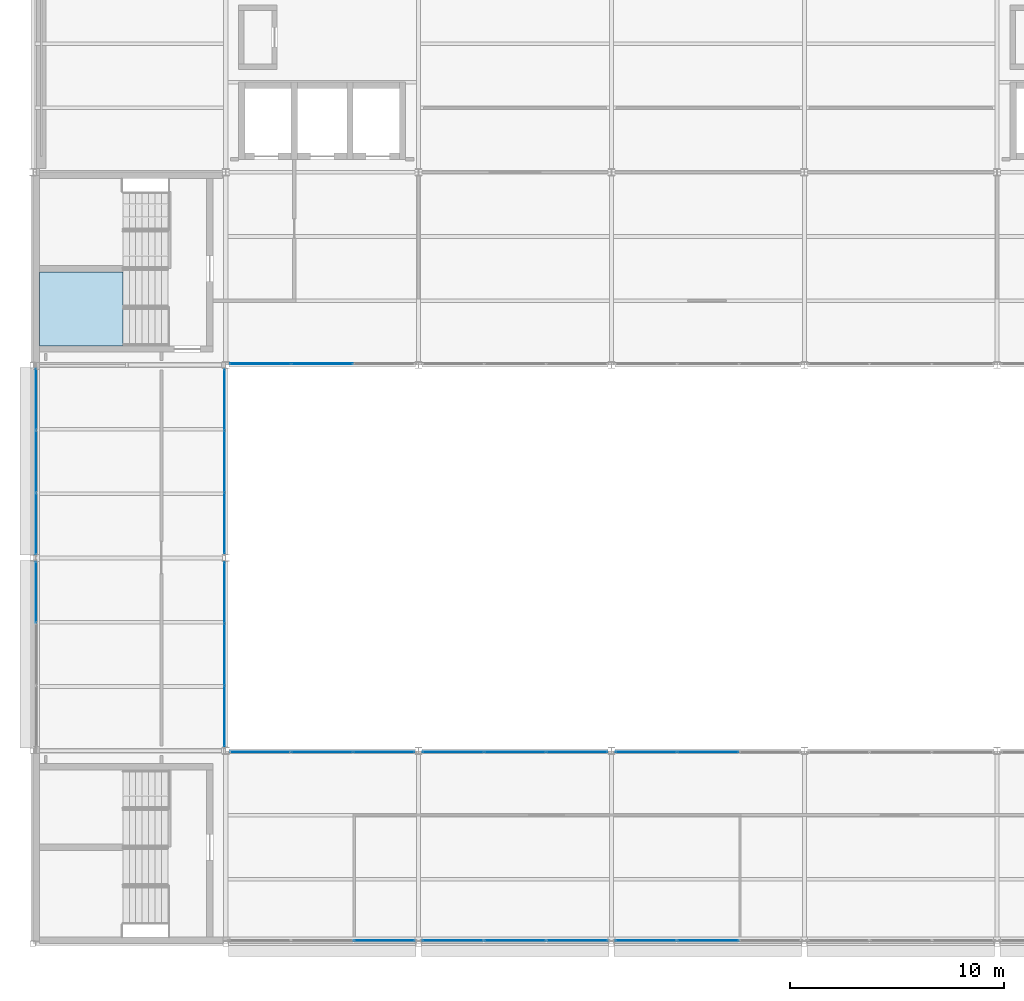
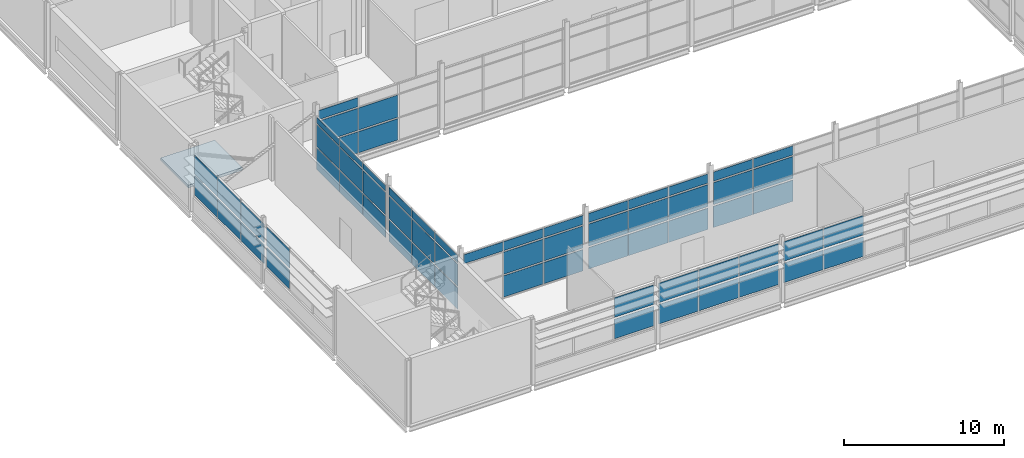
# One storey, part 45 of 61: 65 plates, 1 slab, 12 elements without a shape of their own.
"""IFC4 building model written with IfcOpenShell, lengths in metres."""

from ifc_helpers import new_model, si_unit, direction, frame, origin, origin_2d, place, context, subcontext, project, spatial, polyline, rectangle, outline, extrude, material, layer, layer_set, type_object, element, aggregate, save


model = new_model("IFC4")

# Units and contexts
model_context = context("Model", 3, precision=1e-05, world=origin(), true_north=direction((0.0, 1.0)))
body_context = subcontext(model_context, "Body", "Model", "MODEL_VIEW")
ifc_project = project(units=[si_unit("LENGTHUNIT", "METRE"), si_unit("AREAUNIT", "SQUARE_METRE"), si_unit("VOLUMEUNIT", "CUBIC_METRE"), si_unit("PLANEANGLEUNIT", "RADIAN"), si_unit("MASSUNIT", "GRAM", prefix="KILO")], contexts=[model_context])

# Site, building, storey
site_placement = place(None, origin())
site = spatial("IfcSite", under=ifc_project, at=site_placement, CompositionType="ELEMENT")
building_placement = place(site_placement, origin())
building = spatial("IfcBuilding", under=site, at=building_placement, Name="Shorebreak Coast Museum", CompositionType="ELEMENT")
storey_placement = place(building_placement, frame((0.0, 0.0, 26.0)))
storey = spatial("IfcBuildingStorey", under=building, at=storey_placement, Name="L04", CompositionType="ELEMENT", Elevation=26.0)

# Curtain wall, plates
ifc_material_1 = material(Name="Aluminium", Category="aluminium")
ifc_layer_1 = layer(ifc_material_1, 0.1201171875)
ifc_layer_set_1 = layer_set([ifc_layer_1], Name="Aluminium")
curtain_wall_type_1 = type_object("IfcCurtainWallType", Name="Atrium fire screen", PredefinedType="NOTDEFINED", material=ifc_layer_set_1)
curtain_wall_1_placement = place(storey_placement, origin())
curtain_wall_1 = element("IfcCurtainWall", 1, at=curtain_wall_1_placement, inside=storey, type_object=curtain_wall_type_1, Name="Atrium screen L04 S 49", PredefinedType="NOTDEFINED")
ifc_material_2 = material(Name="Glass", Category="glass")
ifc_layer_2 = layer(ifc_material_2, 0.034912109375)
ifc_layer_set_2 = layer_set([ifc_layer_2], Name="Glass")
plate_type_1 = type_object("IfcPlateType", Name="Fire-resisting glass panel 35", PredefinedType="CURTAIN_PANEL", material=ifc_layer_set_2)
plate_1_placement = place(storey_placement, frame((64.61474609375, 62.93994140625, 3.659912109375), z_axis=(0.0, 0.0, 1.0), x_axis=(1.0, 0.0, 0.0)))
plate_1 = element("IfcPlate", 2, at=plate_1_placement, type_object=plate_type_1, Name="CW5 panel 1.3", PredefinedType="CURTAIN_PANEL", context=body_context, shape_type="SweptSolid", body=[
    extrude(rectangle(XDim=2.82275390625, YDim=0.034912109375, at=origin_2d()), origin(), (0.0, 0.0, 1.0), 0.689453125),
])
plate_2_placement = place(storey_placement, frame((67.5, 62.93994140625, 0.119873046875), z_axis=(0.0, 0.0, 1.0), x_axis=(1.0, 0.0, 0.0)))
plate_2 = element("IfcPlate", 3, at=plate_2_placement, type_object=plate_type_1, Name="CW5 panel 2.1", PredefinedType="CURTAIN_PANEL", context=body_context, shape_type="SweptSolid", body=[
    extrude(rectangle(XDim=2.84765625, YDim=0.034912109375, at=origin_2d()), origin(), (0.0, 0.0, 1.0), 1.6201171875),
])
plate_3_placement = place(storey_placement, frame((67.5, 62.93994140625, 1.85986328125), z_axis=(0.0, 0.0, 1.0), x_axis=(1.0, 0.0, 0.0)))
plate_3 = element("IfcPlate", 4, at=plate_3_placement, type_object=plate_type_1, Name="CW5 panel 2.2", PredefinedType="CURTAIN_PANEL", context=body_context, shape_type="SweptSolid", body=[
    extrude(rectangle(XDim=2.84765625, YDim=0.034912109375, at=origin_2d()), origin(), (0.0, 0.0, 1.0), 1.679931640625),
])
plate_4_placement = place(storey_placement, frame((67.5, 62.93994140625, 3.659912109375), z_axis=(0.0, 0.0, 1.0), x_axis=(1.0, 0.0, 0.0)))
plate_4 = element("IfcPlate", 5, at=plate_4_placement, type_object=plate_type_1, Name="CW5 panel 2.3", PredefinedType="CURTAIN_PANEL", context=body_context, shape_type="SweptSolid", body=[
    extrude(rectangle(XDim=2.84765625, YDim=0.034912109375, at=origin_2d()), origin(), (0.0, 0.0, 1.0), 0.689453125),
])
plate_5_placement = place(storey_placement, frame((70.38525390625, 62.93994140625, 0.119873046875), z_axis=(0.0, 0.0, 1.0), x_axis=(1.0, 0.0, 0.0)))
plate_5 = element("IfcPlate", 6, at=plate_5_placement, type_object=plate_type_1, Name="CW5 panel 3.1", PredefinedType="CURTAIN_PANEL", context=body_context, shape_type="SweptSolid", body=[
    extrude(rectangle(XDim=2.82275390625, YDim=0.034912109375, at=origin_2d()), origin(), (0.0, 0.0, 1.0), 1.6201171875),
])
plate_6_placement = place(storey_placement, frame((70.38525390625, 62.93994140625, 1.85986328125), z_axis=(0.0, 0.0, 1.0), x_axis=(1.0, 0.0, 0.0)))
plate_6 = element("IfcPlate", 7, at=plate_6_placement, type_object=plate_type_1, Name="CW5 panel 3.2", PredefinedType="CURTAIN_PANEL", context=body_context, shape_type="SweptSolid", body=[
    extrude(rectangle(XDim=2.82275390625, YDim=0.034912109375, at=origin_2d()), origin(), (0.0, 0.0, 1.0), 1.679931640625),
])
plate_7_placement = place(storey_placement, frame((70.38525390625, 62.93994140625, 3.659912109375), z_axis=(0.0, 0.0, 1.0), x_axis=(1.0, 0.0, 0.0)))
plate_7 = element("IfcPlate", 8, at=plate_7_placement, type_object=plate_type_1, Name="CW5 panel 3.3", PredefinedType="CURTAIN_PANEL", context=body_context, shape_type="SweptSolid", body=[
    extrude(rectangle(XDim=2.82275390625, YDim=0.034912109375, at=origin_2d()), origin(), (0.0, 0.0, 1.0), 0.689453125),
])
aggregate(curtain_wall_1, [plate_1, plate_2, plate_3, plate_4, plate_5, plate_6, plate_7])

curtain_wall_2_placement = place(storey_placement, origin())
curtain_wall_2 = element("IfcCurtainWall", 9, at=curtain_wall_2_placement, inside=storey, type_object=curtain_wall_type_1, Name="Atrium screen L04 S 50", PredefinedType="NOTDEFINED")
plate_8_placement = place(storey_placement, frame((73.61474609375, 62.93994140625, 0.119873046875), z_axis=(0.0, 0.0, 1.0), x_axis=(1.0, 0.0, 0.0)))
plate_8 = element("IfcPlate", 10, at=plate_8_placement, type_object=plate_type_1, Name="CW6 panel 1.1", PredefinedType="CURTAIN_PANEL", context=body_context, shape_type="SweptSolid", body=[
    extrude(rectangle(XDim=2.82275390625, YDim=0.034912109375, at=origin_2d()), origin(), (0.0, 0.0, 1.0), 1.6201171875),
])
plate_9_placement = place(storey_placement, frame((73.61474609375, 62.93994140625, 1.85986328125), z_axis=(0.0, 0.0, 1.0), x_axis=(1.0, 0.0, 0.0)))
plate_9 = element("IfcPlate", 11, at=plate_9_placement, type_object=plate_type_1, Name="CW6 panel 1.2", PredefinedType="CURTAIN_PANEL", context=body_context, shape_type="SweptSolid", body=[
    extrude(rectangle(XDim=2.82275390625, YDim=0.034912109375, at=origin_2d()), origin(), (0.0, 0.0, 1.0), 1.679931640625),
])
plate_10_placement = place(storey_placement, frame((73.61474609375, 62.93994140625, 3.659912109375), z_axis=(0.0, 0.0, 1.0), x_axis=(1.0, 0.0, 0.0)))
plate_10 = element("IfcPlate", 12, at=plate_10_placement, type_object=plate_type_1, Name="CW6 panel 1.3", PredefinedType="CURTAIN_PANEL", context=body_context, shape_type="SweptSolid", body=[
    extrude(rectangle(XDim=2.82275390625, YDim=0.034912109375, at=origin_2d()), origin(), (0.0, 0.0, 1.0), 0.689453125),
])
plate_11_placement = place(storey_placement, frame((76.5, 62.93994140625, 0.119873046875), z_axis=(0.0, 0.0, 1.0), x_axis=(1.0, 0.0, 0.0)))
plate_11 = element("IfcPlate", 13, at=plate_11_placement, type_object=plate_type_1, Name="CW6 panel 2.1", PredefinedType="CURTAIN_PANEL", context=body_context, shape_type="SweptSolid", body=[
    extrude(rectangle(XDim=2.84765625, YDim=0.034912109375, at=origin_2d()), origin(), (0.0, 0.0, 1.0), 1.6201171875),
])
plate_12_placement = place(storey_placement, frame((76.5, 62.93994140625, 1.85986328125), z_axis=(0.0, 0.0, 1.0), x_axis=(1.0, 0.0, 0.0)))
plate_12 = element("IfcPlate", 14, at=plate_12_placement, type_object=plate_type_1, Name="CW6 panel 2.2", PredefinedType="CURTAIN_PANEL", context=body_context, shape_type="SweptSolid", body=[
    extrude(rectangle(XDim=2.84765625, YDim=0.034912109375, at=origin_2d()), origin(), (0.0, 0.0, 1.0), 1.679931640625),
])
plate_13_placement = place(storey_placement, frame((76.5, 62.93994140625, 3.659912109375), z_axis=(0.0, 0.0, 1.0), x_axis=(1.0, 0.0, 0.0)))
plate_13 = element("IfcPlate", 15, at=plate_13_placement, type_object=plate_type_1, Name="CW6 panel 2.3", PredefinedType="CURTAIN_PANEL", context=body_context, shape_type="SweptSolid", body=[
    extrude(rectangle(XDim=2.84765625, YDim=0.034912109375, at=origin_2d()), origin(), (0.0, 0.0, 1.0), 0.689453125),
])
plate_14_placement = place(storey_placement, frame((79.38525390625, 62.93994140625, 0.119873046875), z_axis=(0.0, 0.0, 1.0), x_axis=(1.0, 0.0, 0.0)))
plate_14 = element("IfcPlate", 16, at=plate_14_placement, type_object=plate_type_1, Name="CW6 panel 3.1", PredefinedType="CURTAIN_PANEL", context=body_context, shape_type="SweptSolid", body=[
    extrude(rectangle(XDim=2.82275390625, YDim=0.034912109375, at=origin_2d()), origin(), (0.0, 0.0, 1.0), 1.6201171875),
])
plate_15_placement = place(storey_placement, frame((79.38525390625, 62.93994140625, 1.85986328125), z_axis=(0.0, 0.0, 1.0), x_axis=(1.0, 0.0, 0.0)))
plate_15 = element("IfcPlate", 17, at=plate_15_placement, type_object=plate_type_1, Name="CW6 panel 3.2", PredefinedType="CURTAIN_PANEL", context=body_context, shape_type="SweptSolid", body=[
    extrude(rectangle(XDim=2.82275390625, YDim=0.034912109375, at=origin_2d()), origin(), (0.0, 0.0, 1.0), 1.679931640625),
])
plate_16_placement = place(storey_placement, frame((79.38525390625, 62.93994140625, 3.659912109375), z_axis=(0.0, 0.0, 1.0), x_axis=(1.0, 0.0, 0.0)))
plate_16 = element("IfcPlate", 18, at=plate_16_placement, type_object=plate_type_1, Name="CW6 panel 3.3", PredefinedType="CURTAIN_PANEL", context=body_context, shape_type="SweptSolid", body=[
    extrude(rectangle(XDim=2.82275390625, YDim=0.034912109375, at=origin_2d()), origin(), (0.0, 0.0, 1.0), 0.689453125),
])
aggregate(curtain_wall_2, [plate_8, plate_9, plate_10, plate_11, plate_12, plate_13, plate_14, plate_15, plate_16])

curtain_wall_3_placement = place(storey_placement, origin())
curtain_wall_3 = element("IfcCurtainWall", 19, at=curtain_wall_3_placement, inside=storey, type_object=curtain_wall_type_1, Name="Atrium screen L04 S 51", PredefinedType="NOTDEFINED")
plate_17_placement = place(storey_placement, frame((82.61474609375, 62.93994140625, 0.119873046875), z_axis=(0.0, 0.0, 1.0), x_axis=(1.0, 0.0, 0.0)))
plate_17 = element("IfcPlate", 20, at=plate_17_placement, type_object=plate_type_1, Name="CW4 panel 1.1", PredefinedType="CURTAIN_PANEL", context=body_context, shape_type="SweptSolid", body=[
    extrude(rectangle(XDim=2.82275390625, YDim=0.034912109375, at=origin_2d()), origin(), (0.0, 0.0, 1.0), 1.6201171875),
])
plate_18_placement = place(storey_placement, frame((82.61474609375, 62.93994140625, 1.85986328125), z_axis=(0.0, 0.0, 1.0), x_axis=(1.0, 0.0, 0.0)))
plate_18 = element("IfcPlate", 21, at=plate_18_placement, type_object=plate_type_1, Name="CW4 panel 1.2", PredefinedType="CURTAIN_PANEL", context=body_context, shape_type="SweptSolid", body=[
    extrude(rectangle(XDim=2.82275390625, YDim=0.034912109375, at=origin_2d()), origin(), (0.0, 0.0, 1.0), 1.679931640625),
])
plate_19_placement = place(storey_placement, frame((82.61474609375, 62.93994140625, 3.659912109375), z_axis=(0.0, 0.0, 1.0), x_axis=(1.0, 0.0, 0.0)))
plate_19 = element("IfcPlate", 22, at=plate_19_placement, type_object=plate_type_1, Name="CW4 panel 1.3", PredefinedType="CURTAIN_PANEL", context=body_context, shape_type="SweptSolid", body=[
    extrude(rectangle(XDim=2.82275390625, YDim=0.034912109375, at=origin_2d()), origin(), (0.0, 0.0, 1.0), 0.689453125),
])
plate_20_placement = place(storey_placement, frame((85.5, 62.93994140625, 0.119873046875), z_axis=(0.0, 0.0, 1.0), x_axis=(1.0, 0.0, 0.0)))
plate_20 = element("IfcPlate", 23, at=plate_20_placement, type_object=plate_type_1, Name="CW4 panel 2.1", PredefinedType="CURTAIN_PANEL", context=body_context, shape_type="SweptSolid", body=[
    extrude(rectangle(XDim=2.84765625, YDim=0.034912109375, at=origin_2d()), origin(), (0.0, 0.0, 1.0), 1.6201171875),
])
plate_21_placement = place(storey_placement, frame((85.5, 62.93994140625, 1.85986328125), z_axis=(0.0, 0.0, 1.0), x_axis=(1.0, 0.0, 0.0)))
plate_21 = element("IfcPlate", 24, at=plate_21_placement, type_object=plate_type_1, Name="CW4 panel 2.2", PredefinedType="CURTAIN_PANEL", context=body_context, shape_type="SweptSolid", body=[
    extrude(rectangle(XDim=2.84765625, YDim=0.034912109375, at=origin_2d()), origin(), (0.0, 0.0, 1.0), 1.679931640625),
])
plate_22_placement = place(storey_placement, frame((85.5, 62.93994140625, 3.659912109375), z_axis=(0.0, 0.0, 1.0), x_axis=(1.0, 0.0, 0.0)))
plate_22 = element("IfcPlate", 25, at=plate_22_placement, type_object=plate_type_1, Name="CW4 panel 2.3", PredefinedType="CURTAIN_PANEL", context=body_context, shape_type="SweptSolid", body=[
    extrude(rectangle(XDim=2.84765625, YDim=0.034912109375, at=origin_2d()), origin(), (0.0, 0.0, 1.0), 0.689453125),
])
aggregate(curtain_wall_3, [plate_17, plate_18, plate_19, plate_20, plate_21, plate_22])

curtain_wall_4_placement = place(storey_placement, origin())
curtain_wall_4 = element("IfcCurtainWall", 26, at=curtain_wall_4_placement, inside=storey, type_object=curtain_wall_type_1, Name="Atrium screen L04 N 54", PredefinedType="NOTDEFINED")
plate_23_placement = place(storey_placement, frame((64.61474609375, 81.06005859375, 0.119873046875), z_axis=(0.0, 0.0, 1.0), x_axis=(1.0, 0.0, 0.0)))
plate_23 = element("IfcPlate", 27, at=plate_23_placement, type_object=plate_type_1, Name="CW4 panel 1.1", PredefinedType="CURTAIN_PANEL", context=body_context, shape_type="SweptSolid", body=[
    extrude(rectangle(XDim=2.82275390625, YDim=0.034912109375, at=origin_2d()), origin(), (0.0, 0.0, 1.0), 1.6201171875),
])
plate_24_placement = place(storey_placement, frame((64.61474609375, 81.06005859375, 1.85986328125), z_axis=(0.0, 0.0, 1.0), x_axis=(1.0, 0.0, 0.0)))
plate_24 = element("IfcPlate", 28, at=plate_24_placement, type_object=plate_type_1, Name="CW4 panel 1.2", PredefinedType="CURTAIN_PANEL", context=body_context, shape_type="SweptSolid", body=[
    extrude(rectangle(XDim=2.82275390625, YDim=0.034912109375, at=origin_2d()), origin(), (0.0, 0.0, 1.0), 1.679931640625),
])
plate_25_placement = place(storey_placement, frame((64.61474609375, 81.06005859375, 3.659912109375), z_axis=(0.0, 0.0, 1.0), x_axis=(1.0, 0.0, 0.0)))
plate_25 = element("IfcPlate", 29, at=plate_25_placement, type_object=plate_type_1, Name="CW4 panel 1.3", PredefinedType="CURTAIN_PANEL", context=body_context, shape_type="SweptSolid", body=[
    extrude(rectangle(XDim=2.82275390625, YDim=0.034912109375, at=origin_2d()), origin(), (0.0, 0.0, 1.0), 0.689453125),
])
plate_26_placement = place(storey_placement, frame((67.5, 81.06005859375, 0.119873046875), z_axis=(0.0, 0.0, 1.0), x_axis=(1.0, 0.0, 0.0)))
plate_26 = element("IfcPlate", 30, at=plate_26_placement, type_object=plate_type_1, Name="CW4 panel 2.1", PredefinedType="CURTAIN_PANEL", context=body_context, shape_type="SweptSolid", body=[
    extrude(rectangle(XDim=2.84765625, YDim=0.034912109375, at=origin_2d()), origin(), (0.0, 0.0, 1.0), 1.6201171875),
])
plate_27_placement = place(storey_placement, frame((67.5, 81.06005859375, 1.85986328125), z_axis=(0.0, 0.0, 1.0), x_axis=(1.0, 0.0, 0.0)))
plate_27 = element("IfcPlate", 31, at=plate_27_placement, type_object=plate_type_1, Name="CW4 panel 2.2", PredefinedType="CURTAIN_PANEL", context=body_context, shape_type="SweptSolid", body=[
    extrude(rectangle(XDim=2.84765625, YDim=0.034912109375, at=origin_2d()), origin(), (0.0, 0.0, 1.0), 1.679931640625),
])
aggregate(curtain_wall_4, [plate_23, plate_24, plate_25, plate_26, plate_27])

curtain_wall_5_placement = place(storey_placement, origin())
curtain_wall_5 = element("IfcCurtainWall", 32, at=curtain_wall_5_placement, inside=storey, type_object=curtain_wall_type_1, Name="Atrium screen L04 W 59", PredefinedType="NOTDEFINED")
plate_28_placement = place(storey_placement, frame((62.93994140625, 64.617431640625, 0.119873046875), z_axis=(0.0, 0.0, 1.0), x_axis=(0.0, 1.0, 0.0)))
plate_28 = element("IfcPlate", 33, at=plate_28_placement, type_object=plate_type_1, Name="CW6 panel 1.1", PredefinedType="CURTAIN_PANEL", context=body_context, shape_type="SweptSolid", body=[
    extrude(rectangle(XDim=2.820068359375, YDim=0.034912109375, at=origin_2d()), origin(), (0.0, 0.0, 1.0), 1.6201171875),
])
plate_29_placement = place(storey_placement, frame((62.93994140625, 64.617431640625, 1.85986328125), z_axis=(0.0, 0.0, 1.0), x_axis=(0.0, 1.0, 0.0)))
plate_29 = element("IfcPlate", 34, at=plate_29_placement, type_object=plate_type_1, Name="CW6 panel 1.2", PredefinedType="CURTAIN_PANEL", context=body_context, shape_type="SweptSolid", body=[
    extrude(rectangle(XDim=2.820068359375, YDim=0.034912109375, at=origin_2d()), origin(), (0.0, 0.0, 1.0), 1.679931640625),
])
plate_30_placement = place(storey_placement, frame((62.93994140625, 64.617431640625, 3.66015625), z_axis=(0.0, 0.0, 1.0), x_axis=(0.0, 1.0, 0.0)))
plate_30 = element("IfcPlate", 35, at=plate_30_placement, type_object=plate_type_1, Name="CW6 panel 1.3", PredefinedType="CURTAIN_PANEL", context=body_context, shape_type="SweptSolid", body=[
    extrude(rectangle(XDim=2.820068359375, YDim=0.034912109375, at=origin_2d()), origin(), (0.0, 0.0, 1.0), 0.584716796875),
])
plate_31_placement = place(storey_placement, frame((62.93994140625, 67.5, 0.119873046875), z_axis=(0.0, 0.0, 1.0), x_axis=(0.0, 1.0, 0.0)))
plate_31 = element("IfcPlate", 36, at=plate_31_placement, type_object=plate_type_1, Name="CW6 panel 2.1", PredefinedType="CURTAIN_PANEL", context=body_context, shape_type="SweptSolid", body=[
    extrude(rectangle(XDim=2.84521484375, YDim=0.034912109375, at=origin_2d()), origin(), (0.0, 0.0, 1.0), 1.6201171875),
])
plate_32_placement = place(storey_placement, frame((62.93994140625, 67.5, 1.85986328125), z_axis=(0.0, 0.0, 1.0), x_axis=(0.0, 1.0, 0.0)))
plate_32 = element("IfcPlate", 37, at=plate_32_placement, type_object=plate_type_1, Name="CW6 panel 2.2", PredefinedType="CURTAIN_PANEL", context=body_context, shape_type="SweptSolid", body=[
    extrude(rectangle(XDim=2.84521484375, YDim=0.034912109375, at=origin_2d()), origin(), (0.0, 0.0, 1.0), 1.679931640625),
])
plate_33_placement = place(storey_placement, frame((62.93994140625, 67.5, 3.66015625), z_axis=(0.0, 0.0, 1.0), x_axis=(0.0, 1.0, 0.0)))
plate_33 = element("IfcPlate", 38, at=plate_33_placement, type_object=plate_type_1, Name="CW6 panel 2.3", PredefinedType="CURTAIN_PANEL", context=body_context, shape_type="SweptSolid", body=[
    extrude(rectangle(XDim=2.84521484375, YDim=0.034912109375, at=origin_2d()), origin(), (0.0, 0.0, 1.0), 0.584716796875),
])
plate_34_placement = place(storey_placement, frame((62.93994140625, 70.382568359375, 0.119873046875), z_axis=(0.0, 0.0, 1.0), x_axis=(0.0, 1.0, 0.0)))
plate_34 = element("IfcPlate", 39, at=plate_34_placement, type_object=plate_type_1, Name="CW6 panel 3.1", PredefinedType="CURTAIN_PANEL", context=body_context, shape_type="SweptSolid", body=[
    extrude(rectangle(XDim=2.820068359375, YDim=0.034912109375, at=origin_2d()), origin(), (0.0, 0.0, 1.0), 1.6201171875),
])
plate_35_placement = place(storey_placement, frame((62.93994140625, 70.382568359375, 1.85986328125), z_axis=(0.0, 0.0, 1.0), x_axis=(0.0, 1.0, 0.0)))
plate_35 = element("IfcPlate", 40, at=plate_35_placement, type_object=plate_type_1, Name="CW6 panel 3.2", PredefinedType="CURTAIN_PANEL", context=body_context, shape_type="SweptSolid", body=[
    extrude(rectangle(XDim=2.820068359375, YDim=0.034912109375, at=origin_2d()), origin(), (0.0, 0.0, 1.0), 1.679931640625),
])
plate_36_placement = place(storey_placement, frame((62.93994140625, 70.382568359375, 3.66015625), z_axis=(0.0, 0.0, 1.0), x_axis=(0.0, 1.0, 0.0)))
plate_36 = element("IfcPlate", 41, at=plate_36_placement, type_object=plate_type_1, Name="CW6 panel 3.3", PredefinedType="CURTAIN_PANEL", context=body_context, shape_type="SweptSolid", body=[
    extrude(rectangle(XDim=2.820068359375, YDim=0.034912109375, at=origin_2d()), origin(), (0.0, 0.0, 1.0), 0.584716796875),
])
aggregate(curtain_wall_5, [plate_28, plate_29, plate_30, plate_31, plate_32, plate_33, plate_34, plate_35, plate_36])

curtain_wall_6_placement = place(storey_placement, origin())
curtain_wall_6 = element("IfcCurtainWall", 42, at=curtain_wall_6_placement, inside=storey, type_object=curtain_wall_type_1, Name="Atrium screen L04 W 60", PredefinedType="NOTDEFINED")
plate_37_placement = place(storey_placement, frame((62.93994140625, 73.617431640625, 0.119873046875), z_axis=(0.0, 0.0, 1.0), x_axis=(0.0, 1.0, 0.0)))
plate_37 = element("IfcPlate", 43, at=plate_37_placement, type_object=plate_type_1, Name="CW4 panel 1.1", PredefinedType="CURTAIN_PANEL", context=body_context, shape_type="SweptSolid", body=[
    extrude(rectangle(XDim=2.820068359375, YDim=0.034912109375, at=origin_2d()), origin(), (0.0, 0.0, 1.0), 1.6201171875),
])
plate_38_placement = place(storey_placement, frame((62.93994140625, 73.617431640625, 1.85986328125), z_axis=(0.0, 0.0, 1.0), x_axis=(0.0, 1.0, 0.0)))
plate_38 = element("IfcPlate", 44, at=plate_38_placement, type_object=plate_type_1, Name="CW4 panel 1.2", PredefinedType="CURTAIN_PANEL", context=body_context, shape_type="SweptSolid", body=[
    extrude(rectangle(XDim=2.820068359375, YDim=0.034912109375, at=origin_2d()), origin(), (0.0, 0.0, 1.0), 1.679931640625),
])
plate_39_placement = place(storey_placement, frame((62.93994140625, 73.617431640625, 3.659912109375), z_axis=(0.0, 0.0, 1.0), x_axis=(0.0, 1.0, 0.0)))
plate_39 = element("IfcPlate", 45, at=plate_39_placement, type_object=plate_type_1, Name="CW4 panel 1.3", PredefinedType="CURTAIN_PANEL", context=body_context, shape_type="SweptSolid", body=[
    extrude(rectangle(XDim=2.820068359375, YDim=0.034912109375, at=origin_2d()), origin(), (0.0, 0.0, 1.0), 0.43310546875),
])
plate_40_placement = place(storey_placement, frame((62.93994140625, 76.5, 0.119873046875), z_axis=(0.0, 0.0, 1.0), x_axis=(0.0, 1.0, 0.0)))
plate_40 = element("IfcPlate", 46, at=plate_40_placement, type_object=plate_type_1, Name="CW4 panel 2.1", PredefinedType="CURTAIN_PANEL", context=body_context, shape_type="SweptSolid", body=[
    extrude(rectangle(XDim=2.84521484375, YDim=0.034912109375, at=origin_2d()), origin(), (0.0, 0.0, 1.0), 1.6201171875),
])
plate_41_placement = place(storey_placement, frame((62.93994140625, 76.5, 1.85986328125), z_axis=(0.0, 0.0, 1.0), x_axis=(0.0, 1.0, 0.0)))
plate_41 = element("IfcPlate", 47, at=plate_41_placement, type_object=plate_type_1, Name="CW4 panel 2.2", PredefinedType="CURTAIN_PANEL", context=body_context, shape_type="SweptSolid", body=[
    extrude(rectangle(XDim=2.84521484375, YDim=0.034912109375, at=origin_2d()), origin(), (0.0, 0.0, 1.0), 1.679931640625),
])
plate_42_placement = place(storey_placement, frame((62.93994140625, 76.5, 3.659912109375), z_axis=(0.0, 0.0, 1.0), x_axis=(0.0, 1.0, 0.0)))
plate_42 = element("IfcPlate", 48, at=plate_42_placement, type_object=plate_type_1, Name="CW4 panel 2.3", PredefinedType="CURTAIN_PANEL", context=body_context, shape_type="SweptSolid", body=[
    extrude(rectangle(XDim=2.84521484375, YDim=0.034912109375, at=origin_2d()), origin(), (0.0, 0.0, 1.0), 0.43310546875),
])
plate_43_placement = place(storey_placement, frame((62.93994140625, 79.382568359375, 0.119873046875), z_axis=(0.0, 0.0, 1.0), x_axis=(0.0, 1.0, 0.0)))
plate_43 = element("IfcPlate", 49, at=plate_43_placement, type_object=plate_type_1, Name="CW4 panel 3.1", PredefinedType="CURTAIN_PANEL", context=body_context, shape_type="SweptSolid", body=[
    extrude(rectangle(XDim=2.820068359375, YDim=0.034912109375, at=origin_2d()), origin(), (0.0, 0.0, 1.0), 1.6201171875),
])
plate_44_placement = place(storey_placement, frame((62.93994140625, 79.382568359375, 1.85986328125), z_axis=(0.0, 0.0, 1.0), x_axis=(0.0, 1.0, 0.0)))
plate_44 = element("IfcPlate", 50, at=plate_44_placement, type_object=plate_type_1, Name="CW4 panel 3.2", PredefinedType="CURTAIN_PANEL", context=body_context, shape_type="SweptSolid", body=[
    extrude(rectangle(XDim=2.820068359375, YDim=0.034912109375, at=origin_2d()), origin(), (0.0, 0.0, 1.0), 1.679931640625),
])
plate_45_placement = place(storey_placement, frame((62.93994140625, 79.382568359375, 3.659912109375), z_axis=(0.0, 0.0, 1.0), x_axis=(0.0, 1.0, 0.0)))
plate_45 = element("IfcPlate", 51, at=plate_45_placement, type_object=plate_type_1, Name="CW4 panel 3.3", PredefinedType="CURTAIN_PANEL", context=body_context, shape_type="SweptSolid", body=[
    extrude(rectangle(XDim=2.820068359375, YDim=0.034912109375, at=origin_2d()), origin(), (0.0, 0.0, 1.0), 0.43310546875),
])
aggregate(curtain_wall_6, [plate_37, plate_38, plate_39, plate_40, plate_41, plate_42, plate_43, plate_44, plate_45])

# Stair, slab
ifc_material_3 = material(Name="Concrete N40 (40 MPa)", Category="concrete")
stair_type = type_object("IfcStairType", Name="Stair run 5 m", PredefinedType="DOUBLE_RETURN_STAIR", material=ifc_material_3)
stair_placement = place(storey_placement, origin())
stair = element("IfcStair", 52, at=stair_placement, inside=storey, type_object=stair_type, Name="Exit stair ST03-L04", PredefinedType="DOUBLE_RETURN_STAIR")
ifc_material_4 = material(Name="Concrete N40 (40 MPa)", Category="concrete")
ifc_layer_3 = layer(ifc_material_4, 0.199951171875)
ifc_layer_set_3 = layer_set([ifc_layer_3], Name="Concrete N40 (40 MPa)")
slab_type = type_object("IfcSlabType", Name="Stair landing 200", PredefinedType="LANDING", material=ifc_layer_set_3)
slab_placement = place(storey_placement, frame((0.0, 0.0, 1.050048828125)))
slab = element("IfcSlab", 53, at=slab_placement, type_object=slab_type, Name="ST03-L04 landing 3", PredefinedType="LANDING", context=body_context, shape_type="SweptSolid", body=[
    extrude(outline(polyline([(54.300048828125, 81.89990234375), (58.199951171875, 81.89990234375), (58.199951171875, 85.35009765625), (54.300048828125, 85.35009765625), (54.300048828125, 81.89990234375)])), origin(), (0.0, 0.0, 1.0), 0.199951171875),
])
aggregate(stair, [slab])

# Curtain wall, plates
ifc_material_5 = material(Name="Aluminium", Category="aluminium")
ifc_layer_4 = layer(ifc_material_5, 0.14990234375)
ifc_layer_set_4 = layer_set([ifc_layer_4], Name="Aluminium")
curtain_wall_type_2 = type_object("IfcCurtainWallType", Name="Storefront curtain wall", PredefinedType="NOTDEFINED", material=ifc_layer_set_4)
curtain_wall_7_placement = place(storey_placement, origin())
curtain_wall_7 = element("IfcCurtainWall", 54, at=curtain_wall_7_placement, inside=storey, type_object=curtain_wall_type_2, Name="Atrium Hall glazing L04 S 4", PredefinedType="NOTDEFINED")
ifc_material_6 = material(Name="Glass", Category="glass")
ifc_layer_5 = layer(ifc_material_6, 0.031982421875)
ifc_layer_set_5 = layer_set([ifc_layer_5], Name="Glass")
plate_type_2 = type_object("IfcPlateType", Name="Storefront glass panel 32", PredefinedType="CURTAIN_PANEL", material=ifc_layer_set_5)
plate_46_placement = place(storey_placement, frame((70.404052734375, 54.14990234375, 1.25), z_axis=(0.0, 0.0, 1.0), x_axis=(1.0, 0.0, 0.0)))
plate_46 = element("IfcPlate", 55, at=plate_46_placement, type_object=plate_type_2, Name="CW5 panel 3.1", PredefinedType="CURTAIN_PANEL", context=body_context, shape_type="SweptSolid", body=[
    extrude(rectangle(XDim=2.841552734375, YDim=0.031982421875, at=origin_2d()), origin(), (0.0, 0.0, 1.0), 1.48388671875),
])
plate_47_placement = place(storey_placement, frame((70.404052734375, 54.14990234375, 2.8837890625), z_axis=(0.0, 0.0, 1.0), x_axis=(1.0, 0.0, 0.0)))
plate_47 = element("IfcPlate", 56, at=plate_47_placement, type_object=plate_type_2, Name="CW5 panel 3.2", PredefinedType="CURTAIN_PANEL", context=body_context, shape_type="SweptSolid", body=[
    extrude(rectangle(XDim=2.841552734375, YDim=0.031982421875, at=origin_2d()), origin(), (0.0, 0.0, 1.0), 1.48388671875),
])
aggregate(curtain_wall_7, [plate_46, plate_47])

curtain_wall_8_placement = place(storey_placement, origin())
curtain_wall_8 = element("IfcCurtainWall", 57, at=curtain_wall_8_placement, inside=storey, type_object=curtain_wall_type_2, Name="Atrium Hall glazing L04 S 5", PredefinedType="NOTDEFINED")
plate_48_placement = place(storey_placement, frame((73.595947265625, 54.14990234375, 1.25), z_axis=(0.0, 0.0, 1.0), x_axis=(1.0, 0.0, 0.0)))
plate_48 = element("IfcPlate", 58, at=plate_48_placement, type_object=plate_type_2, Name="CW5 panel 1.1", PredefinedType="CURTAIN_PANEL", context=body_context, shape_type="SweptSolid", body=[
    extrude(rectangle(XDim=2.841552734375, YDim=0.031982421875, at=origin_2d()), origin(), (0.0, 0.0, 1.0), 1.48388671875),
])
plate_49_placement = place(storey_placement, frame((73.595947265625, 54.14990234375, 2.8837890625), z_axis=(0.0, 0.0, 1.0), x_axis=(1.0, 0.0, 0.0)))
plate_49 = element("IfcPlate", 59, at=plate_49_placement, type_object=plate_type_2, Name="CW5 panel 1.2", PredefinedType="CURTAIN_PANEL", context=body_context, shape_type="SweptSolid", body=[
    extrude(rectangle(XDim=2.841552734375, YDim=0.031982421875, at=origin_2d()), origin(), (0.0, 0.0, 1.0), 1.48388671875),
])
plate_50_placement = place(storey_placement, frame((76.5, 54.14990234375, 1.25), z_axis=(0.0, 0.0, 1.0), x_axis=(1.0, 0.0, 0.0)))
plate_50 = element("IfcPlate", 60, at=plate_50_placement, type_object=plate_type_2, Name="CW5 panel 2.1", PredefinedType="CURTAIN_PANEL", context=body_context, shape_type="SweptSolid", body=[
    extrude(rectangle(XDim=2.86669921875, YDim=0.031982421875, at=origin_2d()), origin(), (0.0, 0.0, 1.0), 1.48388671875),
])
plate_51_placement = place(storey_placement, frame((76.5, 54.14990234375, 2.8837890625), z_axis=(0.0, 0.0, 1.0), x_axis=(1.0, 0.0, 0.0)))
plate_51 = element("IfcPlate", 61, at=plate_51_placement, type_object=plate_type_2, Name="CW5 panel 2.2", PredefinedType="CURTAIN_PANEL", context=body_context, shape_type="SweptSolid", body=[
    extrude(rectangle(XDim=2.86669921875, YDim=0.031982421875, at=origin_2d()), origin(), (0.0, 0.0, 1.0), 1.48388671875),
])
plate_52_placement = place(storey_placement, frame((79.404052734375, 54.14990234375, 1.25), z_axis=(0.0, 0.0, 1.0), x_axis=(1.0, 0.0, 0.0)))
plate_52 = element("IfcPlate", 62, at=plate_52_placement, type_object=plate_type_2, Name="CW5 panel 3.1", PredefinedType="CURTAIN_PANEL", context=body_context, shape_type="SweptSolid", body=[
    extrude(rectangle(XDim=2.841552734375, YDim=0.031982421875, at=origin_2d()), origin(), (0.0, 0.0, 1.0), 1.48388671875),
])
plate_53_placement = place(storey_placement, frame((79.404052734375, 54.14990234375, 2.8837890625), z_axis=(0.0, 0.0, 1.0), x_axis=(1.0, 0.0, 0.0)))
plate_53 = element("IfcPlate", 63, at=plate_53_placement, type_object=plate_type_2, Name="CW5 panel 3.2", PredefinedType="CURTAIN_PANEL", context=body_context, shape_type="SweptSolid", body=[
    extrude(rectangle(XDim=2.841552734375, YDim=0.031982421875, at=origin_2d()), origin(), (0.0, 0.0, 1.0), 1.48388671875),
])
aggregate(curtain_wall_8, [plate_48, plate_49, plate_50, plate_51, plate_52, plate_53])

curtain_wall_9_placement = place(storey_placement, origin())
curtain_wall_9 = element("IfcCurtainWall", 64, at=curtain_wall_9_placement, inside=storey, type_object=curtain_wall_type_2, Name="Atrium Hall glazing L04 S 6", PredefinedType="NOTDEFINED")
plate_54_placement = place(storey_placement, frame((82.595947265625, 54.14990234375, 1.25), z_axis=(0.0, 0.0, 1.0), x_axis=(1.0, 0.0, 0.0)))
plate_54 = element("IfcPlate", 65, at=plate_54_placement, type_object=plate_type_2, Name="CW5 panel 1.1", PredefinedType="CURTAIN_PANEL", context=body_context, shape_type="SweptSolid", body=[
    extrude(rectangle(XDim=2.841552734375, YDim=0.031982421875, at=origin_2d()), origin(), (0.0, 0.0, 1.0), 1.48388671875),
])
plate_55_placement = place(storey_placement, frame((82.595947265625, 54.14990234375, 2.8837890625), z_axis=(0.0, 0.0, 1.0), x_axis=(1.0, 0.0, 0.0)))
plate_55 = element("IfcPlate", 66, at=plate_55_placement, type_object=plate_type_2, Name="CW5 panel 1.2", PredefinedType="CURTAIN_PANEL", context=body_context, shape_type="SweptSolid", body=[
    extrude(rectangle(XDim=2.841552734375, YDim=0.031982421875, at=origin_2d()), origin(), (0.0, 0.0, 1.0), 1.48388671875),
])
plate_56_placement = place(storey_placement, frame((85.5, 54.14990234375, 1.25), z_axis=(0.0, 0.0, 1.0), x_axis=(1.0, 0.0, 0.0)))
plate_56 = element("IfcPlate", 67, at=plate_56_placement, type_object=plate_type_2, Name="CW5 panel 2.1", PredefinedType="CURTAIN_PANEL", context=body_context, shape_type="SweptSolid", body=[
    extrude(rectangle(XDim=2.86669921875, YDim=0.031982421875, at=origin_2d()), origin(), (0.0, 0.0, 1.0), 1.48388671875),
])
plate_57_placement = place(storey_placement, frame((85.5, 54.14990234375, 2.8837890625), z_axis=(0.0, 0.0, 1.0), x_axis=(1.0, 0.0, 0.0)))
plate_57 = element("IfcPlate", 68, at=plate_57_placement, type_object=plate_type_2, Name="CW5 panel 2.2", PredefinedType="CURTAIN_PANEL", context=body_context, shape_type="SweptSolid", body=[
    extrude(rectangle(XDim=2.86669921875, YDim=0.031982421875, at=origin_2d()), origin(), (0.0, 0.0, 1.0), 1.48388671875),
])
aggregate(curtain_wall_9, [plate_54, plate_55, plate_56, plate_57])

curtain_wall_10_placement = place(storey_placement, origin())
curtain_wall_10 = element("IfcCurtainWall", 69, at=curtain_wall_10_placement, inside=storey, type_object=curtain_wall_type_2, Name="Atrium Hall glazing L04 W 9", PredefinedType="NOTDEFINED")
plate_58_placement = place(storey_placement, frame((54.14990234375, 70.404052734375, 1.25), z_axis=(0.0, 0.0, 1.0), x_axis=(0.0, 1.0, 0.0)))
plate_58 = element("IfcPlate", 70, at=plate_58_placement, type_object=plate_type_2, Name="CW5 panel 3.1", PredefinedType="CURTAIN_PANEL", context=body_context, shape_type="SweptSolid", body=[
    extrude(rectangle(XDim=2.841552734375, YDim=0.031982421875, at=origin_2d()), origin(), (0.0, 0.0, 1.0), 1.434326171875),
])
plate_59_placement = place(storey_placement, frame((54.14990234375, 70.404052734375, 2.83447265625), z_axis=(0.0, 0.0, 1.0), x_axis=(0.0, 1.0, 0.0)))
plate_59 = element("IfcPlate", 71, at=plate_59_placement, type_object=plate_type_2, Name="CW5 panel 3.2", PredefinedType="CURTAIN_PANEL", context=body_context, shape_type="SweptSolid", body=[
    extrude(rectangle(XDim=2.841552734375, YDim=0.031982421875, at=origin_2d()), origin(), (0.0, 0.0, 1.0), 1.434326171875),
])
aggregate(curtain_wall_10, [plate_58, plate_59])

curtain_wall_11_placement = place(storey_placement, origin())
curtain_wall_11 = element("IfcCurtainWall", 72, at=curtain_wall_11_placement, inside=storey, type_object=curtain_wall_type_2, Name="Atrium Hall glazing L04 W 10", PredefinedType="NOTDEFINED")
plate_60_placement = place(storey_placement, frame((54.14990234375, 73.595947265625, 1.25), z_axis=(0.0, 0.0, 1.0), x_axis=(0.0, 1.0, 0.0)))
plate_60 = element("IfcPlate", 73, at=plate_60_placement, type_object=plate_type_2, Name="CW5 panel 1.1", PredefinedType="CURTAIN_PANEL", context=body_context, shape_type="SweptSolid", body=[
    extrude(rectangle(XDim=2.841552734375, YDim=0.031982421875, at=origin_2d()), origin(), (0.0, 0.0, 1.0), 1.434326171875),
])
plate_61_placement = place(storey_placement, frame((54.14990234375, 73.595947265625, 2.83447265625), z_axis=(0.0, 0.0, 1.0), x_axis=(0.0, 1.0, 0.0)))
plate_61 = element("IfcPlate", 74, at=plate_61_placement, type_object=plate_type_2, Name="CW5 panel 1.2", PredefinedType="CURTAIN_PANEL", context=body_context, shape_type="SweptSolid", body=[
    extrude(rectangle(XDim=2.841552734375, YDim=0.031982421875, at=origin_2d()), origin(), (0.0, 0.0, 1.0), 1.434326171875),
])
plate_62_placement = place(storey_placement, frame((54.14990234375, 76.5, 1.25), z_axis=(0.0, 0.0, 1.0), x_axis=(0.0, 1.0, 0.0)))
plate_62 = element("IfcPlate", 75, at=plate_62_placement, type_object=plate_type_2, Name="CW5 panel 2.1", PredefinedType="CURTAIN_PANEL", context=body_context, shape_type="SweptSolid", body=[
    extrude(rectangle(XDim=2.86669921875, YDim=0.031982421875, at=origin_2d()), origin(), (0.0, 0.0, 1.0), 1.434326171875),
])
plate_63_placement = place(storey_placement, frame((54.14990234375, 76.5, 2.83447265625), z_axis=(0.0, 0.0, 1.0), x_axis=(0.0, 1.0, 0.0)))
plate_63 = element("IfcPlate", 76, at=plate_63_placement, type_object=plate_type_2, Name="CW5 panel 2.2", PredefinedType="CURTAIN_PANEL", context=body_context, shape_type="SweptSolid", body=[
    extrude(rectangle(XDim=2.86669921875, YDim=0.031982421875, at=origin_2d()), origin(), (0.0, 0.0, 1.0), 1.434326171875),
])
plate_64_placement = place(storey_placement, frame((54.14990234375, 79.404052734375, 1.25), z_axis=(0.0, 0.0, 1.0), x_axis=(0.0, 1.0, 0.0)))
plate_64 = element("IfcPlate", 77, at=plate_64_placement, type_object=plate_type_2, Name="CW5 panel 3.1", PredefinedType="CURTAIN_PANEL", context=body_context, shape_type="SweptSolid", body=[
    extrude(rectangle(XDim=2.841552734375, YDim=0.031982421875, at=origin_2d()), origin(), (0.0, 0.0, 1.0), 1.434326171875),
])
plate_65_placement = place(storey_placement, frame((54.14990234375, 79.404052734375, 2.83447265625), z_axis=(0.0, 0.0, 1.0), x_axis=(0.0, 1.0, 0.0)))
plate_65 = element("IfcPlate", 78, at=plate_65_placement, type_object=plate_type_2, Name="CW5 panel 3.2", PredefinedType="CURTAIN_PANEL", context=body_context, shape_type="SweptSolid", body=[
    extrude(rectangle(XDim=2.841552734375, YDim=0.031982421875, at=origin_2d()), origin(), (0.0, 0.0, 1.0), 1.434326171875),
])
aggregate(curtain_wall_11, [plate_60, plate_61, plate_62, plate_63, plate_64, plate_65])

save(model, "model.ifc")
